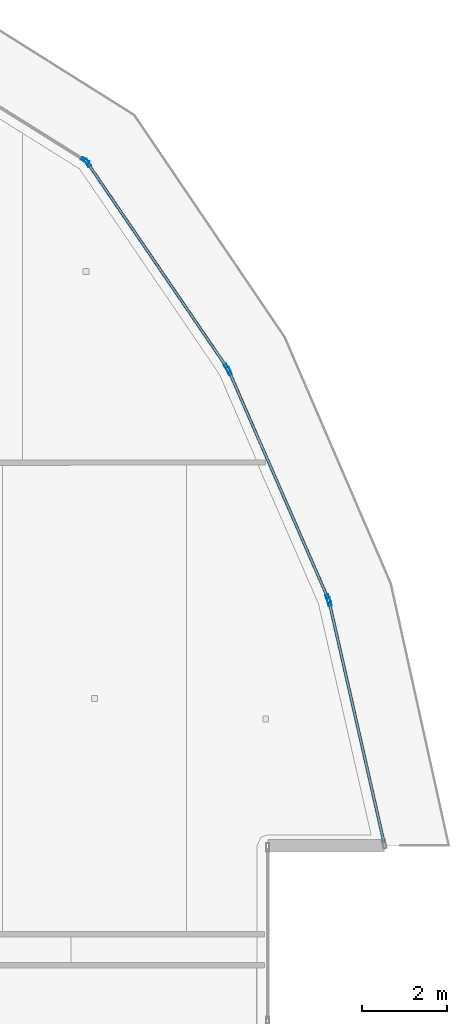
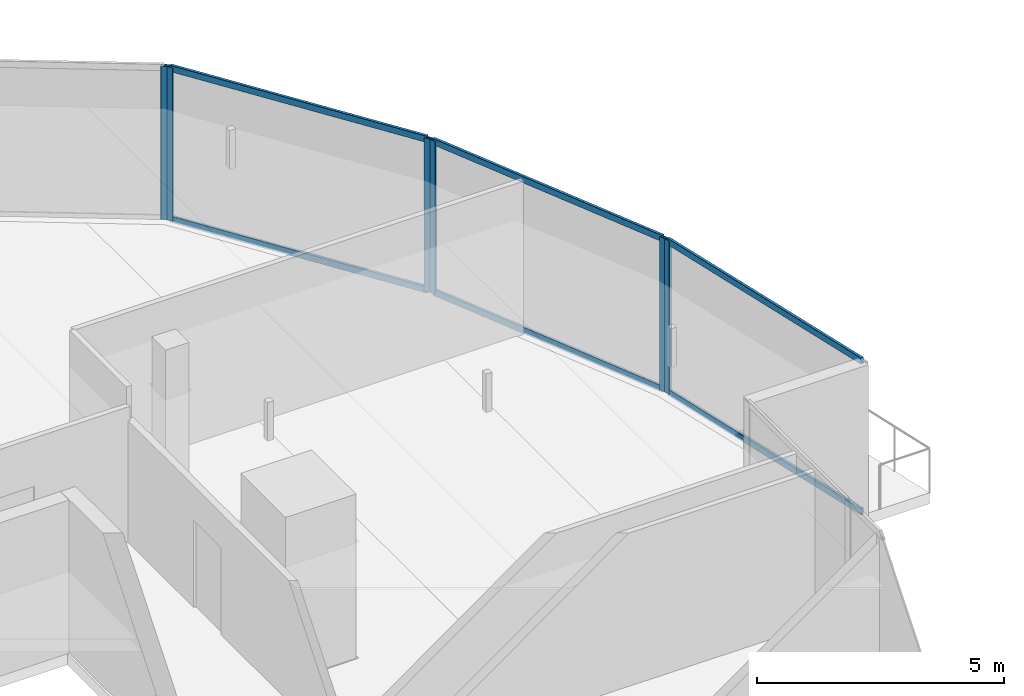
# One storey, part 17 of 32: 12 members, 4 elements without a shape of their own.
"""IFC4 building model written with IfcOpenShell, lengths in metres."""

from ifc_helpers import new_model, si_unit, direction, frame, origin, origin_2d, place, context, subcontext, project, spatial, hollow_rectangle, extrude, material, layer, layer_set, material_profile, profile_set, type_object, element, aggregate, save


model = new_model("IFC4")

# Units and contexts
model_context = context("Model", 3, precision=1e-05, world=origin(), true_north=direction((0.0, 1.0)))
body_context = subcontext(model_context, "Body", "Model", "MODEL_VIEW")
ifc_project = project(units=[si_unit("LENGTHUNIT", "METRE"), si_unit("AREAUNIT", "SQUARE_METRE"), si_unit("VOLUMEUNIT", "CUBIC_METRE"), si_unit("PLANEANGLEUNIT", "RADIAN"), si_unit("MASSUNIT", "GRAM", prefix="KILO")], contexts=[model_context])

# Site, building, storey
site_placement = place(None, origin())
site = spatial("IfcSite", under=ifc_project, at=site_placement, CompositionType="ELEMENT")
building_placement = place(site_placement, origin())
building = spatial("IfcBuilding", under=site, at=building_placement, Name="Qorvath Tower", CompositionType="ELEMENT")
storey_placement = place(building_placement, frame((0.0, 0.0, 233.39990234375)))
storey = spatial("IfcBuildingStorey", under=building, at=storey_placement, Name="L54", CompositionType="ELEMENT", Elevation=233.39990234375)

# Curtain wall, member
ifc_material_1 = material(Name="Anodised aluminium and triple low-E glass", Category="aluminium")
ifc_layer = layer(ifc_material_1, 0.179931640625)
ifc_layer_set = layer_set([ifc_layer], Name="CW-SYS-5")
curtain_wall_type = type_object("IfcCurtainWallType", Name="CW-SYS-5", PredefinedType="NOTDEFINED", material=ifc_layer_set)
curtain_wall_1_placement = place(storey_placement, origin())
curtain_wall_1 = element("IfcCurtainWall", 1, at=curtain_wall_1_placement, inside=storey, type_object=curtain_wall_type, Name="Curtain Wall CW-5 CW-T-L54-13.1", PredefinedType="NOTDEFINED")
ifc_material_2 = material(Name="Anodised aluminium 6063-T6", Category="aluminium")
ifc_material_profile_1 = material_profile(ifc_material_2, hollow_rectangle(XDim=0.074951171875, YDim=0.199951171875, WallThickness=0.00390625, InnerFilletRadius=0.00390625, OuterFilletRadius=0.008056640625, at=origin_2d()), Name="CWM 200x75")
ifc_profile_set_1 = profile_set([ifc_material_profile_1], Name="Anodised aluminium 6063-T6")
member_type_1 = type_object("IfcMemberType", Name="CWM-200", PredefinedType="MULLION", material=ifc_profile_set_1)
member_1_placement = place(storey_placement, frame((-1.135986328125, 9.83935546875, 0.0), z_axis=(0.0, 0.0, 1.0), x_axis=(-0.975037173258, -0.222041687, 0.0)))
member_1 = element("IfcMember", 2, at=member_1_placement, type_object=member_type_1, Name="CW-5 mullion 2", PredefinedType="MULLION", context=body_context, shape_type="SweptSolid", body=[
    extrude(hollow_rectangle(XDim=0.074951171875, YDim=0.199951171875, WallThickness=0.00390625, InnerFilletRadius=0.00390625, OuterFilletRadius=0.008056640625, at=origin_2d()), origin(), (0.0, 0.0, 1.0), 3.780029296875),
])

# Curtain wall, members
curtain_wall_2_placement = place(storey_placement, origin())
curtain_wall_2 = element("IfcCurtainWall", 3, at=curtain_wall_2_placement, inside=storey, type_object=curtain_wall_type, Name="Curtain Wall CW-5 CW-T-L54-14.1", PredefinedType="NOTDEFINED")
member_2_placement = place(storey_placement, frame((-1.1591796875, 9.910400390625, 0.0), z_axis=(0.0, 0.0, 1.0), x_axis=(-0.916728547594, -0.39951066322, 0.0)))
member_2 = element("IfcMember", 4, at=member_2_placement, type_object=member_type_1, Name="CW-5 mullion 1", PredefinedType="MULLION", context=body_context, shape_type="SweptSolid", body=[
    extrude(hollow_rectangle(XDim=0.074951171875, YDim=0.199951171875, WallThickness=0.00390625, InnerFilletRadius=0.00390625, OuterFilletRadius=0.008056640625, at=origin_2d()), origin(), (0.0, 0.0, 1.0), 3.780029296875),
])
member_3_placement = place(storey_placement, frame((-3.489990234375, 15.25830078125, 0.0), z_axis=(0.0, 0.0, 1.0), x_axis=(-0.916728547594, -0.39951066322, 0.0)))
member_3 = element("IfcMember", 5, at=member_3_placement, type_object=member_type_1, Name="CW-5 mullion 2", PredefinedType="MULLION", context=body_context, shape_type="SweptSolid", body=[
    extrude(hollow_rectangle(XDim=0.074951171875, YDim=0.199951171875, WallThickness=0.00390625, InnerFilletRadius=0.00390625, OuterFilletRadius=0.008056640625, at=origin_2d()), origin(), (0.0, 0.0, 1.0), 3.780029296875),
])

curtain_wall_3_placement = place(storey_placement, origin())
curtain_wall_3 = element("IfcCurtainWall", 6, at=curtain_wall_3_placement, inside=storey, type_object=curtain_wall_type, Name="Curtain Wall CW-5 CW-T-L54-15.1", PredefinedType="NOTDEFINED")
member_4_placement = place(storey_placement, frame((-3.526123046875, 15.32373046875, 0.0), z_axis=(0.0, 0.0, 1.0), x_axis=(-0.826473596685, -0.562975482577, 0.0)))
member_4 = element("IfcMember", 7, at=member_4_placement, type_object=member_type_1, Name="CW-5 mullion 1", PredefinedType="MULLION", context=body_context, shape_type="SweptSolid", body=[
    extrude(hollow_rectangle(XDim=0.074951171875, YDim=0.199951171875, WallThickness=0.00390625, InnerFilletRadius=0.00390625, OuterFilletRadius=0.008056640625, at=origin_2d()), origin(), (0.0, 0.0, 1.0), 3.780029296875),
])
member_5_placement = place(storey_placement, frame((-6.810302734375, 20.145263671875, 0.0), z_axis=(0.0, 0.0, 1.0), x_axis=(-0.826473596685, -0.562975482577, 0.0)))
member_5 = element("IfcMember", 8, at=member_5_placement, type_object=member_type_1, Name="CW-5 mullion 2", PredefinedType="MULLION", context=body_context, shape_type="SweptSolid", body=[
    extrude(hollow_rectangle(XDim=0.074951171875, YDim=0.199951171875, WallThickness=0.00390625, InnerFilletRadius=0.00390625, OuterFilletRadius=0.008056640625, at=origin_2d()), origin(), (0.0, 0.0, 1.0), 3.780029296875),
])

# Curtain wall, member
curtain_wall_4_placement = place(storey_placement, origin())
curtain_wall_4 = element("IfcCurtainWall", 9, at=curtain_wall_4_placement, inside=storey, type_object=curtain_wall_type, Name="Curtain Wall CW-5 CW-T-L54-16.1", PredefinedType="NOTDEFINED")
member_6_placement = place(storey_placement, frame((-6.86328125, 20.1962890625, 0.0), z_axis=(0.0, 0.0, 1.0), x_axis=(-0.530497446671, -0.847686533499, 0.0)))
member_6 = element("IfcMember", 10, at=member_6_placement, type_object=member_type_1, Name="CW-5 mullion 1", PredefinedType="MULLION", context=body_context, shape_type="SweptSolid", body=[
    extrude(hollow_rectangle(XDim=0.074951171875, YDim=0.199951171875, WallThickness=0.00390625, InnerFilletRadius=0.00390625, OuterFilletRadius=0.008056640625, at=origin_2d()), origin(), (0.0, 0.0, 1.0), 3.780029296875),
])
aggregate(curtain_wall_4, [member_6])

# Member
ifc_material_3 = material(Name="Anodised aluminium 6063-T6", Category="aluminium")
ifc_material_profile_2 = material_profile(ifc_material_3, hollow_rectangle(XDim=0.06494140625, YDim=0.159912109375, WallThickness=0.00341796875, InnerFilletRadius=0.00341796875, OuterFilletRadius=0.007080078125, at=origin_2d()), Name="CWT 160x65")
ifc_profile_set_2 = profile_set([ifc_material_profile_2], Name="Anodised aluminium 6063-T6")
member_type_2 = type_object("IfcMemberType", Name="CWT-160", PredefinedType="USERDEFINED", material=ifc_profile_set_2)
member_7_placement = place(storey_placement, frame((0.151123046875, 4.187744140625, 0.032470703125), z_axis=(-0.222053505052, 0.9750344819, 0.0), x_axis=(-0.9750344819, -0.222053505052, 0.0)))
member_7 = element("IfcMember", 11, at=member_7_placement, type_object=member_type_2, Name="CW-5 transom 1.1", ObjectType="TRANSOM", PredefinedType="USERDEFINED", context=body_context, shape_type="SweptSolid", body=[
    extrude(hollow_rectangle(XDim=0.06494140625, YDim=0.159912109375, WallThickness=0.00341796875, InnerFilletRadius=0.00341796875, OuterFilletRadius=0.007080078125, at=origin_2d()), origin(), (0.0, 0.0, 1.0), 5.759033203125),
])

member_8_placement = place(storey_placement, frame((0.151123046875, 4.187744140625, 3.74755859375), z_axis=(-0.222053505052, 0.9750344819, 0.0), x_axis=(-0.9750344819, -0.222053505052, 0.0)))
member_8 = element("IfcMember", 12, at=member_8_placement, type_object=member_type_2, Name="CW-5 transom 1.2", ObjectType="TRANSOM", PredefinedType="USERDEFINED", context=body_context, shape_type="SweptSolid", body=[
    extrude(hollow_rectangle(XDim=0.06494140625, YDim=0.159912109375, WallThickness=0.00341796875, InnerFilletRadius=0.00341796875, OuterFilletRadius=0.007080078125, at=origin_2d()), origin(), (0.0, 0.0, 1.0), 5.759033203125),
])

aggregate(curtain_wall_1, [member_1, member_7, member_8])

member_9_placement = place(storey_placement, frame((-1.17431640625, 9.94482421875, 0.032470703125), z_axis=(-0.399499548855, 0.916733391158, 0.0), x_axis=(-0.916733391158, -0.399499548855, 0.0)))
member_9 = element("IfcMember", 13, at=member_9_placement, type_object=member_type_2, Name="CW-5 transom 1.1", ObjectType="TRANSOM", PredefinedType="USERDEFINED", context=body_context, shape_type="SweptSolid", body=[
    extrude(hollow_rectangle(XDim=0.06494140625, YDim=0.159912109375, WallThickness=0.00341796875, InnerFilletRadius=0.00341796875, OuterFilletRadius=0.007080078125, at=origin_2d()), origin(), (0.0, 0.0, 1.0), 5.758544921875),
])

member_10_placement = place(storey_placement, frame((-1.17431640625, 9.94482421875, 3.74755859375), z_axis=(-0.399499548855, 0.916733391158, 0.0), x_axis=(-0.916733391158, -0.399499548855, 0.0)))
member_10 = element("IfcMember", 14, at=member_10_placement, type_object=member_type_2, Name="CW-5 transom 1.2", ObjectType="TRANSOM", PredefinedType="USERDEFINED", context=body_context, shape_type="SweptSolid", body=[
    extrude(hollow_rectangle(XDim=0.06494140625, YDim=0.159912109375, WallThickness=0.00341796875, InnerFilletRadius=0.00341796875, OuterFilletRadius=0.007080078125, at=origin_2d()), origin(), (0.0, 0.0, 1.0), 5.758544921875),
])

aggregate(curtain_wall_2, [member_2, member_3, member_9, member_10])

member_11_placement = place(storey_placement, frame((-3.547119140625, 15.354736328125, 0.032470703125), z_axis=(-0.562988177602, 0.826464948973, 0.0), x_axis=(-0.826464948973, -0.562988177602, 0.0)))
member_11 = element("IfcMember", 15, at=member_11_placement, type_object=member_type_2, Name="CW-5 transom 1.1", ObjectType="TRANSOM", PredefinedType="USERDEFINED", context=body_context, shape_type="SweptSolid", body=[
    extrude(hollow_rectangle(XDim=0.06494140625, YDim=0.159912109375, WallThickness=0.00341796875, InnerFilletRadius=0.00341796875, OuterFilletRadius=0.007080078125, at=origin_2d()), origin(), (0.0, 0.0, 1.0), 5.7587890625),
])

member_12_placement = place(storey_placement, frame((-3.547119140625, 15.354736328125, 3.74755859375), z_axis=(-0.562988177602, 0.826464948973, 0.0), x_axis=(-0.826464948973, -0.562988177602, 0.0)))
member_12 = element("IfcMember", 16, at=member_12_placement, type_object=member_type_2, Name="CW-5 transom 1.2", ObjectType="TRANSOM", PredefinedType="USERDEFINED", context=body_context, shape_type="SweptSolid", body=[
    extrude(hollow_rectangle(XDim=0.06494140625, YDim=0.159912109375, WallThickness=0.00341796875, InnerFilletRadius=0.00341796875, OuterFilletRadius=0.007080078125, at=origin_2d()), origin(), (0.0, 0.0, 1.0), 5.7587890625),
])

aggregate(curtain_wall_3, [member_4, member_5, member_11, member_12])

save(model, "model.ifc")
